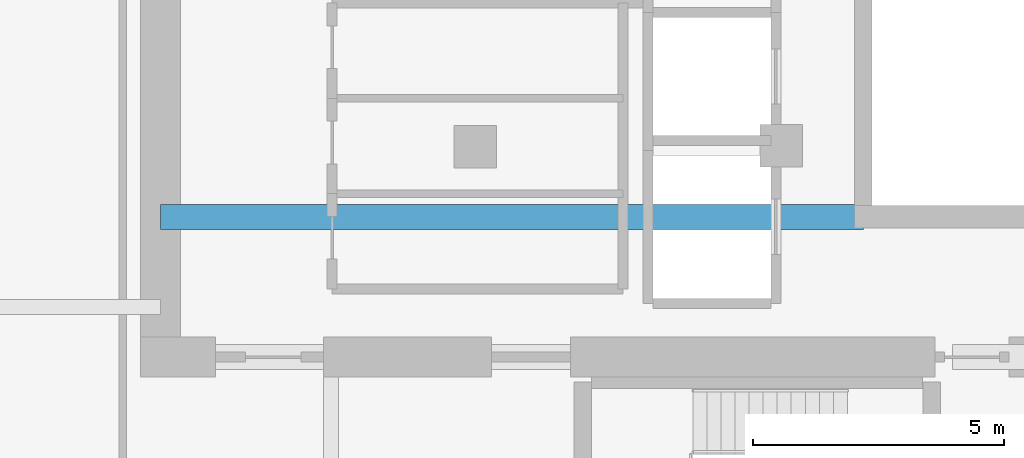
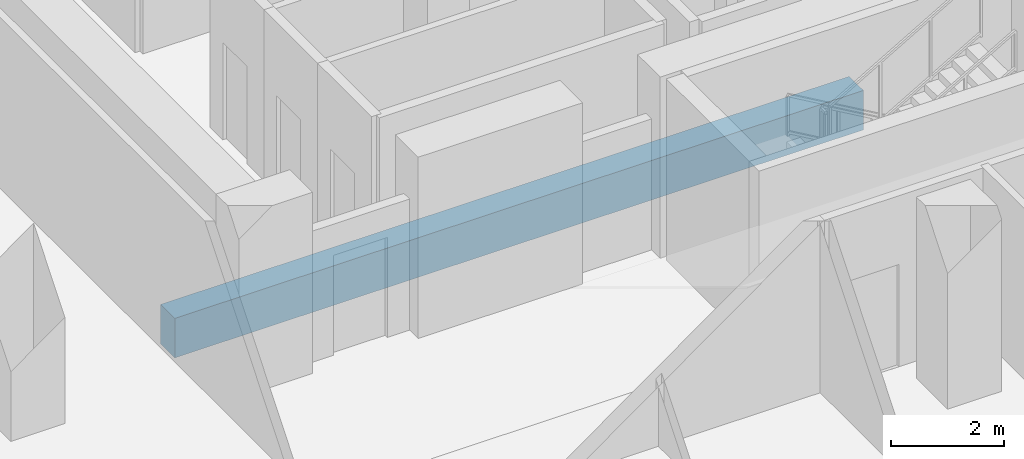
# One storey, part 7 of 26: 1 beam.
"""IFC4 building model written with IfcOpenShell, lengths in metres."""

from ifc_helpers import new_model, si_unit, direction, frame, origin, origin_2d, place, context, subcontext, project, spatial, rectangle, extrude, material, material_profile, profile_set, type_object, element, save


model = new_model("IFC4")

# Units and contexts
model_context = context("Model", 3, precision=1e-05, world=origin(), true_north=direction((0.0, 1.0)))
body_context = subcontext(model_context, "Body", "Model", "MODEL_VIEW")
ifc_project = project(units=[si_unit("LENGTHUNIT", "METRE"), si_unit("AREAUNIT", "SQUARE_METRE"), si_unit("VOLUMEUNIT", "CUBIC_METRE"), si_unit("PLANEANGLEUNIT", "RADIAN"), si_unit("MASSUNIT", "GRAM", prefix="KILO")], contexts=[model_context])

# Site, building, storey
site_placement = place(None, origin())
site = spatial("IfcSite", under=ifc_project, at=site_placement, CompositionType="ELEMENT")
building_placement = place(site_placement, origin())
building = spatial("IfcBuilding", under=site, at=building_placement, Name="Khorvyn Point Tower", CompositionType="ELEMENT")
storey_placement = place(building_placement, frame((0.0, 0.0, 223.5)))
storey = spatial("IfcBuildingStorey", under=building, at=storey_placement, Name="L55", CompositionType="ELEMENT", Elevation=223.5)

# Beam
ifc_material = material(Name="Concrete C45/55", Category="concrete")
ifc_material_profile = material_profile(ifc_material, rectangle(XDim=0.5, YDim=0.85009765625, at=origin_2d()))
ifc_profile_set = profile_set([ifc_material_profile], Name="Concrete C45/55 RC500x850")
beam_type = type_object("IfcBeamType", Name="Concrete C45/55 Beam RC500x850", PredefinedType="BEAM", material=ifc_profile_set)
beam_placement = place(storey_placement, frame((-10.800048828125, -5.60009765625, -0.64501953125), z_axis=(1.0, 0.0, 0.0), x_axis=(0.0, 1.0, 0.0)))
element("IfcBeam", 1, at=beam_placement, inside=storey, type_object=beam_type, Name="L55 Core Internal Tie Girder S", PredefinedType="BEAM", context=body_context, shape_type="SweptSolid", body=[
    extrude(rectangle(XDim=0.5, YDim=0.85009765625, at=origin_2d()), origin(), (0.0, 0.0, 1.0), 14.02001953125),
])

save(model, "model.ifc")
